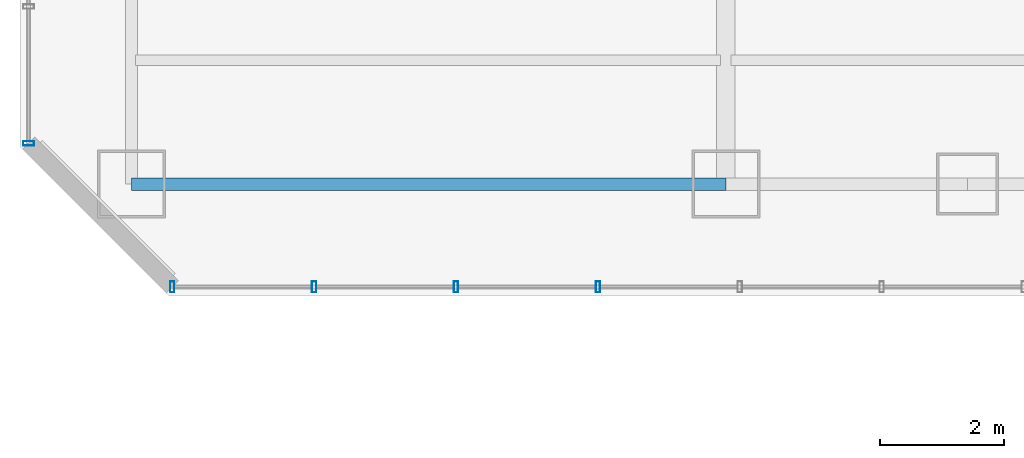
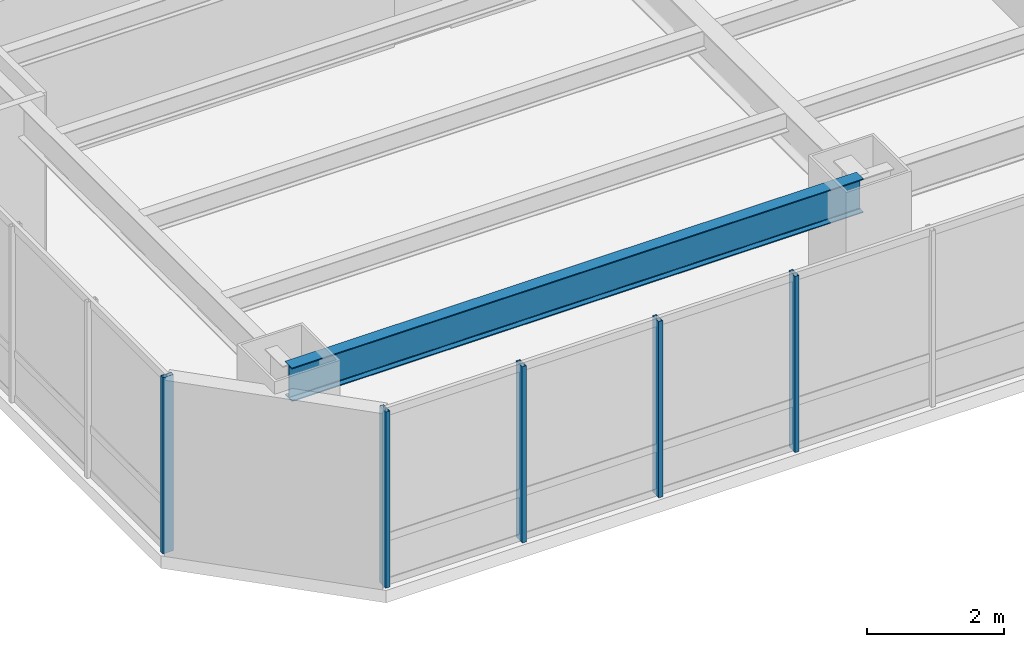
# One storey, part 2 of 33: 5 members, 1 beam, 2 elements without a shape of their own.
"""IFC4 building model written with IfcOpenShell, lengths in metres."""

from ifc_helpers import new_model, si_unit, direction, frame, origin, origin_2d, place, context, subcontext, project, spatial, hollow_rectangle, i_section, extrude, material, layer, layer_set, material_profile, profile_set, type_object, element, aggregate, save


model = new_model("IFC4")

# Units and contexts
model_context = context("Model", 3, precision=1e-05, world=origin(), true_north=direction((0.0, 1.0)))
body_context = subcontext(model_context, "Body", "Model", "MODEL_VIEW")
ifc_project = project(units=[si_unit("LENGTHUNIT", "METRE"), si_unit("AREAUNIT", "SQUARE_METRE"), si_unit("VOLUMEUNIT", "CUBIC_METRE"), si_unit("PLANEANGLEUNIT", "RADIAN"), si_unit("MASSUNIT", "GRAM", prefix="KILO")], contexts=[model_context])

# Site, building, storey
site_placement = place(None, origin())
site = spatial("IfcSite", under=ifc_project, at=site_placement, CompositionType="ELEMENT")
building_placement = place(site_placement, origin())
building = spatial("IfcBuilding", under=site, at=building_placement, Name="Hatsunagi Terrace Concourse", CompositionType="ELEMENT")
storey_placement = place(building_placement, frame((0.0, 0.0, 43.300048828125)))
storey = spatial("IfcBuildingStorey", under=building, at=storey_placement, Name="L10", CompositionType="ELEMENT", Elevation=43.300048828125)

# Curtain wall, members
ifc_material_1 = material(Name="Anodised Aluminium Alloy 6063-T5", Category="aluminium")
ifc_layer = layer(ifc_material_1, 0.199951171875)
ifc_layer_set = layer_set([ifc_layer], Name="HotelFacade_CW02")
curtain_wall_type = type_object("IfcCurtainWallType", Name="HotelFacade_CW02", PredefinedType="NOTDEFINED", material=ifc_layer_set)
curtain_wall_1_placement = place(storey_placement, origin())
curtain_wall_1 = element("IfcCurtainWall", 1, at=curtain_wall_1_placement, inside=storey, type_object=curtain_wall_type, Name="Unitised Curtain Wall CW-02 CW-L10-07", PredefinedType="NOTDEFINED")
ifc_material_2 = material(Name="Anodised Aluminium Alloy 6063-T5", Category="aluminium")
ifc_material_profile_1 = material_profile(ifc_material_2, hollow_rectangle(XDim=0.070068359375, YDim=0.179931640625, WallThickness=0.00390625, at=origin_2d()), Name="ALU-MUL-180x70x4")
ifc_profile_set_1 = profile_set([ifc_material_profile_1], Name="Anodised Aluminium Alloy 6063-T5")
member_type = type_object("IfcMemberType", Name="CurtainWallMullion_180x70", PredefinedType="MULLION", material=ifc_profile_set_1)
member_1_placement = place(storey_placement, frame((9.3330078125, 23.5400390625, 0.0), z_axis=(0.0, 0.0, 1.0), x_axis=(-1.0, 0.0, 0.0)))
member_1 = element("IfcMember", 2, at=member_1_placement, type_object=member_type, Name="Curtain Wall Mullion MUL-02", PredefinedType="MULLION", context=body_context, shape_type="SweptSolid", body=[
    extrude(hollow_rectangle(XDim=0.070068359375, YDim=0.179931640625, WallThickness=0.00390625, at=origin_2d()), origin(), (0.0, 0.0, 1.0), 3.1298828125),
])
member_2_placement = place(storey_placement, frame((7.041015625, 23.5400390625, 0.0), z_axis=(0.0, 0.0, 1.0), x_axis=(-1.0, 0.0, 0.0)))
member_2 = element("IfcMember", 3, at=member_2_placement, type_object=member_type, Name="Curtain Wall Mullion MUL-02", PredefinedType="MULLION", context=body_context, shape_type="SweptSolid", body=[
    extrude(hollow_rectangle(XDim=0.070068359375, YDim=0.179931640625, WallThickness=0.00390625, at=origin_2d()), origin(), (0.0, 0.0, 1.0), 3.1298828125),
])
member_3_placement = place(storey_placement, frame((4.75, 23.5400390625, 0.0), z_axis=(0.0, 0.0, 1.0), x_axis=(-1.0, 0.0, 0.0)))
member_3 = element("IfcMember", 4, at=member_3_placement, type_object=member_type, Name="Curtain Wall Mullion MUL-02", PredefinedType="MULLION", context=body_context, shape_type="SweptSolid", body=[
    extrude(hollow_rectangle(XDim=0.070068359375, YDim=0.179931640625, WallThickness=0.00390625, at=origin_2d()), origin(), (0.0, 0.0, 1.0), 3.1298828125),
])
member_4_placement = place(storey_placement, frame((2.4580078125, 23.5400390625, 0.0), z_axis=(0.0, 0.0, 1.0), x_axis=(-1.0, 0.0, 0.0)))
member_4 = element("IfcMember", 5, at=member_4_placement, type_object=member_type, Name="Curtain Wall Mullion MUL-02", PredefinedType="MULLION", context=body_context, shape_type="SweptSolid", body=[
    extrude(hollow_rectangle(XDim=0.070068359375, YDim=0.179931640625, WallThickness=0.00390625, at=origin_2d()), origin(), (0.0, 0.0, 1.0), 3.1298828125),
])
aggregate(curtain_wall_1, [member_1, member_2, member_3, member_4])

# Curtain wall, member
curtain_wall_2_placement = place(storey_placement, origin())
curtain_wall_2 = element("IfcCurtainWall", 6, at=curtain_wall_2_placement, inside=storey, type_object=curtain_wall_type, Name="Unitised Curtain Wall CW-02 CW-L10-09", PredefinedType="NOTDEFINED")
member_5_placement = place(storey_placement, frame((0.139892578125, 25.85791015625, 0.0), z_axis=(0.0, 0.0, 1.0), x_axis=(0.0, 1.0, 0.0)))
member_5 = element("IfcMember", 7, at=member_5_placement, type_object=member_type, Name="Curtain Wall Mullion MUL-02", PredefinedType="MULLION", context=body_context, shape_type="SweptSolid", body=[
    extrude(hollow_rectangle(XDim=0.070068359375, YDim=0.179931640625, WallThickness=0.00390625, at=origin_2d()), origin(), (0.0, 0.0, 1.0), 3.1298828125),
])
aggregate(curtain_wall_2, [member_5])

# Beam
ifc_material_3 = material(Name="Steel SN490B", Category="steel")
ifc_material_profile_2 = material_profile(ifc_material_3, i_section(OverallWidth=0.199951171875, OverallDepth=0.60009765625, WebThickness=0.010986328125, FlangeThickness=0.01708984375, FilletRadius=0.01806640625, at=origin_2d()), Name="H-600x200x11x17")
ifc_profile_set_2 = profile_set([ifc_material_profile_2], Name="Steel SN490B")
beam_type = type_object("IfcBeamType", Name="PerimeterSpandrel_H_600x200", PredefinedType="SPANDREL", material=ifc_profile_set_2)
beam_placement = place(storey_placement, frame((1.800048828125, 25.199951171875, 2.829833984375), z_axis=(1.0, 0.0, 0.0), x_axis=(0.0, 1.0, 0.0)))
element("IfcBeam", 8, at=beam_placement, inside=storey, type_object=beam_type, Name="Beam SP-01 BM-L10-WS-1", PredefinedType="SPANDREL", context=body_context, shape_type="SweptSolid", body=[
    extrude(i_section(OverallWidth=0.199951171875, OverallDepth=0.60009765625, WebThickness=0.010986328125, FlangeThickness=0.01708984375, FilletRadius=0.01806640625, at=origin_2d()), origin(), (0.0, 0.0, 1.0), 9.599853515625),
])

save(model, "model.ifc")
